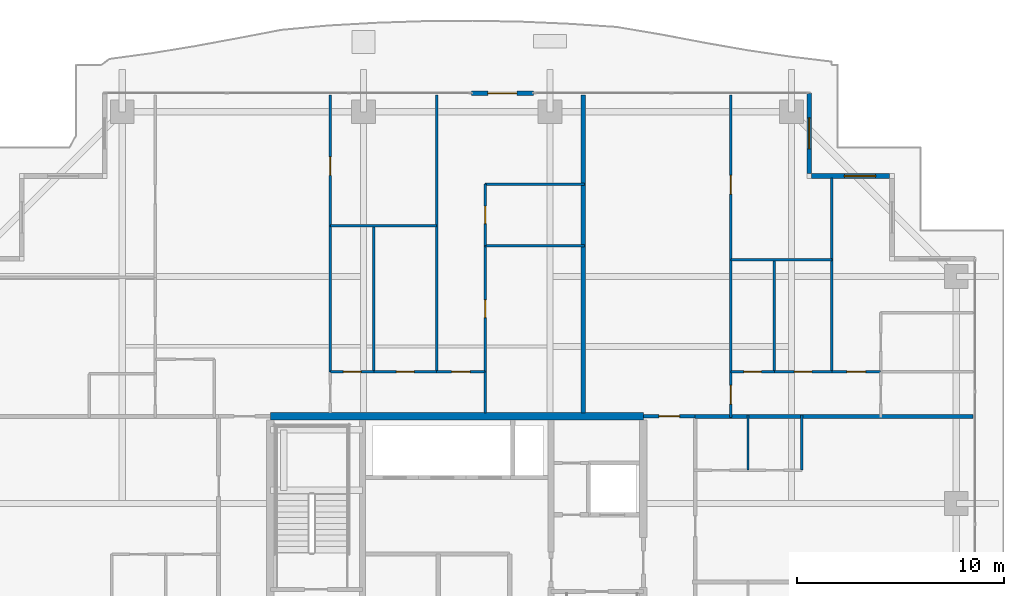
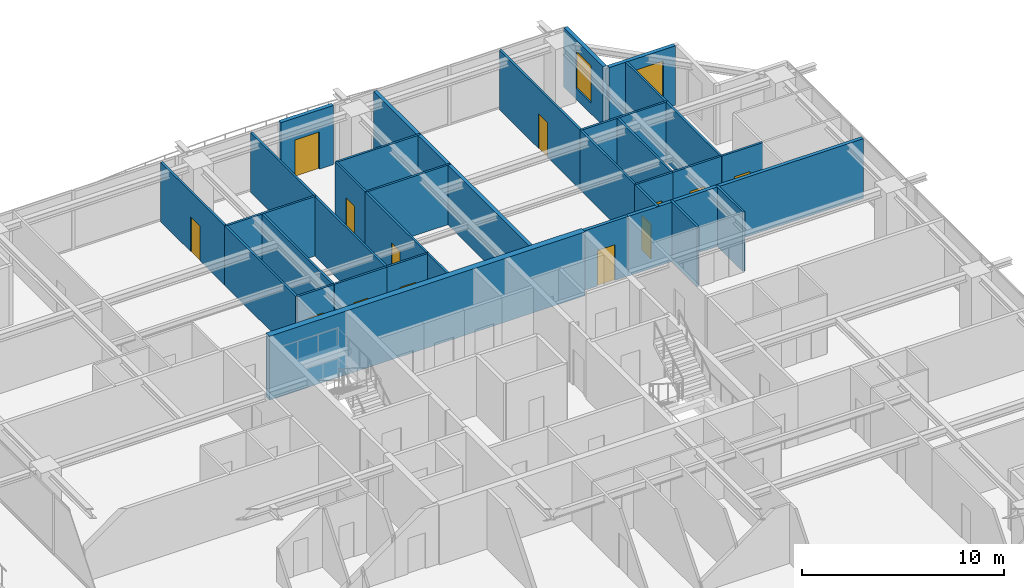
# One storey, part 31 of 39: 31 walls, 13 doors, 2 windows, 15 openings.
"""IFC4 building model written with IfcOpenShell, lengths in metres."""

from ifc_helpers import new_model, si_unit, direction, frame, frame_2d, origin, place, context, subcontext, project, spatial, rectangle, extrude, source, transform, mapped, material, layer, layer_set, type_object, element, fill, save


model = new_model("IFC4")

# Units and contexts
model_context = context("Model", 3, precision=1e-05, world=origin(), true_north=direction((0.0, 1.0)))
body_context = subcontext(model_context, "Body", "Model", "MODEL_VIEW")
ifc_project = project(units=[si_unit("LENGTHUNIT", "METRE"), si_unit("AREAUNIT", "SQUARE_METRE"), si_unit("VOLUMEUNIT", "CUBIC_METRE"), si_unit("PLANEANGLEUNIT", "RADIAN"), si_unit("MASSUNIT", "GRAM", prefix="KILO")], contexts=[model_context])

# Site, building, storey
site_placement = place(None, origin())
site = spatial("IfcSite", under=ifc_project, at=site_placement, CompositionType="ELEMENT")
building_placement = place(site_placement, origin())
building = spatial("IfcBuilding", under=site, at=building_placement, Name="Serunith Strait Residences", CompositionType="ELEMENT")
storey_placement = place(building_placement, frame((0.0, 0.0, 222.0)))
storey = spatial("IfcBuildingStorey", under=building, at=storey_placement, Name="L55", CompositionType="ELEMENT", Elevation=222.0)

# Wall, opening, window
ifc_material_1 = material(Name="Pale-Champagne Aluminium Insulated Panel", Category="aluminium")
ifc_layer_1 = layer(ifc_material_1, 0.219970703125, Name="Pale-Champagne Aluminium Insulated Panel")
ifc_layer_set_1 = layer_set([ifc_layer_1], Name="Pale-Champagne Aluminium Insulated Panel")
wall_type_1 = type_object("IfcWallType", Name="EW-ALUM-220", PredefinedType="ELEMENTEDWALL", material=ifc_layer_set_1)
wall_1_placement = place(storey_placement, frame((53.2900390625, 45.199951171875, 0.0), z_axis=(0.0, 0.0, 1.0), x_axis=(-1.0, 0.0, 0.0)))
wall_1 = element("IfcWall", 1, at=wall_1_placement, inside=storey, type_object=wall_type_1, Name="L55 Girih Serrated Corner Wall 09", PredefinedType="ELEMENTEDWALL", context=body_context, shape_type="SweptSolid", body=[
    extrude(rectangle(XDim=3.780029296875, YDim=0.219970703125, at=frame_2d((1.89013671875, 0.0))), origin(), (0.0, 0.0, 1.0), 3.574951171875),
])
opening_1_placement = place(wall_1_placement, frame((0.68408203125, 0.0, 0.64990234375)))
opening_1 = element("IfcOpeningElement", 2, at=opening_1_placement, cuts=wall_1, Name="Opening W-05", PredefinedType="OPENING", context=body_context, shape_type="SweptSolid", body=[
    extrude(rectangle(XDim=1.5, YDim=2.25, at=frame_2d((0.75, 1.125))), frame((0.0, 0.1201171875, 0.0), z_axis=(0.0, -1.0, 0.0), x_axis=(1.0, 0.0, 0.0)), (0.0, 0.0, 1.0), 0.239990234375),
])
ifc_material_2 = material(Name="Ceramic-Fritted Operable Aluminium Window Glass", Category="aluminium")
window_type = type_object("IfcWindowType", Name="WIN-C5", PartitioningType="DOUBLE_PANEL_VERTICAL", PredefinedType="WINDOW", material=ifc_material_2)
shared_shape_1 = source(origin(), body_context, "Body", "SweptSolid", [
    extrude(rectangle(XDim=1.5, YDim=2.25, at=frame_2d((0.75, 1.125))), frame((0.0, 0.030029296875, 0.0), z_axis=(0.0, -1.0, 0.0), x_axis=(1.0, 0.0, 0.0)), (0.0, 0.0, 1.0), 0.06005859375),
])
window_1_placement = place(opening_1_placement, origin())
window_1 = element("IfcWindow", 3, at=window_1_placement, inside=storey, type_object=window_type, Name="L55 Corner Operable Fritted Window 09", OverallHeight=2.25, OverallWidth=1.5, PartitioningType="SINGLE_PANEL", PredefinedType="WINDOW", context=body_context, shape_type="MappedRepresentation", body=[
    mapped(shared_shape_1, transform((0.0, 0.0, 0.0), scale=1.0)),
])
fill(opening_1, window_1)

wall_2_placement = place(storey_placement, frame((49.39990234375, 45.31005859375, 0.0), z_axis=(0.0, 0.0, 1.0), x_axis=(0.0, 1.0, 0.0)))
wall_2 = element("IfcWall", 4, at=wall_2_placement, inside=storey, type_object=wall_type_1, Name="L55 Girih Serrated Corner Wall 10", PredefinedType="ELEMENTEDWALL", context=body_context, shape_type="SweptSolid", body=[
    extrude(rectangle(XDim=3.889892578125, YDim=0.219970703125, at=frame_2d((1.94482421875, 0.0))), origin(), (0.0, 0.0, 1.0), 3.574951171875),
])
opening_2_placement = place(wall_2_placement, frame((1.195068359375, 0.0, 0.64990234375)))
opening_2 = element("IfcOpeningElement", 5, at=opening_2_placement, cuts=wall_2, Name="Opening W-05", PredefinedType="OPENING", context=body_context, shape_type="SweptSolid", body=[
    extrude(rectangle(XDim=1.5, YDim=2.25, at=frame_2d((0.75, 1.125))), frame((0.0, 0.1201171875, 0.0), z_axis=(0.0, -1.0, 0.0), x_axis=(1.0, 0.0, 0.0)), (0.0, 0.0, 1.0), 0.239990234375),
])
window_2_placement = place(opening_2_placement, origin())
window_2 = element("IfcWindow", 6, at=window_2_placement, inside=storey, type_object=window_type, Name="L55 Corner Operable Fritted Window 10", OverallHeight=2.25, OverallWidth=1.5, PartitioningType="SINGLE_PANEL", PredefinedType="WINDOW", context=body_context, shape_type="MappedRepresentation", body=[
    mapped(shared_shape_1, transform((0.0, 0.0, 0.0), scale=1.0)),
])
fill(opening_2, window_2)

# Wall, opening, door
wall_3_placement = place(storey_placement, frame((36.10009765625, 49.199951171875, 0.0), z_axis=(0.0, 0.0, 1.0), x_axis=(-1.0, 0.0, 0.0)))
wall_3 = element("IfcWall", 7, at=wall_3_placement, inside=storey, type_object=wall_type_1, Name="L55 N Facade Pier Wall", PredefinedType="ELEMENTEDWALL", context=body_context, shape_type="SweptSolid", body=[
    extrude(rectangle(XDim=3.0, YDim=0.219970703125, at=frame_2d((1.5, 0.0))), origin(), (0.0, 0.0, 1.0), 3.574951171875),
])
opening_3_placement = place(wall_3_placement, frame((0.800048828125, 0.0, 0.0)))
opening_3 = element("IfcOpeningElement", 8, at=opening_3_placement, cuts=wall_3, Name="Opening ED-04", PredefinedType="OPENING", context=body_context, shape_type="SweptSolid", body=[
    extrude(rectangle(XDim=1.39990234375, YDim=2.25, at=frame_2d((0.699951171875, 1.125))), frame((0.0, 0.1201171875, 0.0), z_axis=(0.0, -1.0, 0.0), x_axis=(1.0, 0.0, 0.0)), (0.0, 0.0, 1.0), 0.239990234375),
])
ifc_material_3 = material(Name="Thermally-Broken Aluminium Sliding Balcony Door", Category="aluminium")
door_type_1 = type_object("IfcDoorType", Name="ED-BALC-1400", OperationType="NOTDEFINED", PredefinedType="DOOR", material=ifc_material_3)
shared_shape_2 = source(origin(), body_context, "Body", "SweptSolid", [
    extrude(rectangle(XDim=1.39990234375, YDim=2.25, at=frame_2d((0.699951171875, 1.125))), frame((0.0, 0.02490234375, 0.0), z_axis=(0.0, -1.0, 0.0), x_axis=(1.0, 0.0, 0.0)), (0.0, 0.0, 1.0), 0.050048828125),
])
door_1_placement = place(opening_3_placement, origin())
door_1 = element("IfcDoor", 9, at=door_1_placement, inside=storey, type_object=door_type_1, Name="L55 N Vertical-Forest Balcony Door", OperationType="SLIDING_TO_LEFT", OverallHeight=2.25, OverallWidth=1.39990234375, PredefinedType="DOOR", context=body_context, shape_type="MappedRepresentation", body=[
    mapped(shared_shape_2, transform((0.0, 0.0, 0.0), scale=1.0)),
])
fill(opening_3, door_1)

ifc_material_4 = material(Name="Fire-rated acoustic gypsum partition")
ifc_layer_2 = layer(ifc_material_4, 0.179931640625, Name="Fire-rated acoustic gypsum partition")
ifc_layer_set_2 = layer_set([ifc_layer_2], Name="Fire-rated acoustic gypsum partition")
wall_type_2 = type_object("IfcWallType", Name="IW-CORR-180", PredefinedType="PARTITIONING", material=ifc_layer_set_2)
wall_4_placement = place(storey_placement, frame((41.402099609375, 33.60009765625, 0.0), z_axis=(0.0, 0.0, 1.0), x_axis=(1.0, 0.0, 0.0)))
wall_4 = element("IfcWall", 10, at=wall_4_placement, inside=storey, type_object=wall_type_2, Name="L55 Partition Wall 031", PredefinedType="PARTITIONING", context=body_context, shape_type="SweptSolid", body=[
    extrude(rectangle(XDim=2.495849609375, YDim=0.179931640625, at=frame_2d((1.248046875, 0.0))), origin(), (0.0, 0.0, 1.0), 3.590087890625),
])
opening_4_placement = place(wall_4_placement, frame((0.748046875, 0.0, 0.0)))
opening_4 = element("IfcOpeningElement", 11, at=opening_4_placement, cuts=wall_4, Name="Opening D-APT1000", PredefinedType="OPENING", context=body_context, shape_type="SweptSolid", body=[
    extrude(rectangle(XDim=1.0, YDim=2.14990234375, at=frame_2d((0.5, 1.074951171875))), frame((0.0, 0.10009765625, 0.0), z_axis=(0.0, -1.0, 0.0), x_axis=(1.0, 0.0, 0.0)), (0.0, 0.0, 1.0), 0.199951171875),
])
ifc_material_5 = material(Name="Solid timber engineered fire door", Category="wood")
door_type_2 = type_object("IfcDoorType", Name="ID-APT-1000", OperationType="NOTDEFINED", PredefinedType="DOOR", material=ifc_material_5)
shared_shape_3 = source(origin(), body_context, "Body", "SweptSolid", [
    extrude(rectangle(XDim=1.0, YDim=2.14990234375, at=frame_2d((0.5, 1.074951171875))), frame((0.0, 0.02490234375, 0.0), z_axis=(0.0, -1.0, 0.0), x_axis=(1.0, 0.0, 0.0)), (0.0, 0.0, 1.0), 0.050048828125),
])
door_2_placement = place(opening_4_placement, origin())
door_2 = element("IfcDoor", 12, at=door_2_placement, inside=storey, type_object=door_type_2, Name="L55 Unit 04 Entrance Door", OperationType="SINGLE_SWING_RIGHT", OverallHeight=2.14990234375, OverallWidth=1.0, PredefinedType="DOOR", context=body_context, shape_type="MappedRepresentation", body=[
    mapped(shared_shape_3, transform((0.0, 0.0, 0.0), scale=1.0)),
])
fill(opening_4, door_2)

ifc_material_6 = material(Name="Lightweight steel-stud gypsum partition", Category="steel")
ifc_layer_3 = layer(ifc_material_6, 0.1201171875, Name="Lightweight steel-stud gypsum partition")
ifc_layer_set_3 = layer_set([ifc_layer_3], Name="Lightweight steel-stud gypsum partition")
wall_type_3 = type_object("IfcWallType", Name="IW-PART-120", PredefinedType="PARTITIONING", material=ifc_layer_set_3)
wall_5_placement = place(storey_placement, frame((26.300048828125, 49.10498046875, 0.0), z_axis=(0.0, 0.0, 1.0), x_axis=(0.0, -1.0, 0.0)))
wall_5 = element("IfcWall", 13, at=wall_5_placement, inside=storey, type_object=wall_type_3, Name="L55 Partition Wall 077", PredefinedType="PARTITIONING", context=body_context, shape_type="SweptSolid", body=[
    extrude(rectangle(XDim=6.31494140625, YDim=0.1201171875, at=frame_2d((3.157470703125, 0.0))), origin(), (0.0, 0.0, 1.0), 3.590087890625),
])
opening_5_placement = place(wall_5_placement, frame((2.97802734375, 0.0, 0.0)))
opening_5 = element("IfcOpeningElement", 14, at=opening_5_placement, cuts=wall_5, Name="Opening D-RM900", PredefinedType="OPENING", context=body_context, shape_type="SweptSolid", body=[
    extrude(rectangle(XDim=0.89990234375, YDim=2.10009765625, at=frame_2d((0.449951171875, 1.050048828125))), frame((0.0, 0.070068359375, 0.0), z_axis=(0.0, -1.0, 0.0), x_axis=(1.0, 0.0, 0.0)), (0.0, 0.0, 1.0), 0.14013671875),
])
ifc_material_7 = material(Name="Engineered timber flush bedroom door", Category="wood")
door_type_3 = type_object("IfcDoorType", Name="ID-ROOM-900", OperationType="NOTDEFINED", PredefinedType="DOOR", material=ifc_material_7)
shared_shape_4 = source(origin(), body_context, "Body", "SweptSolid", [
    extrude(rectangle(XDim=0.89990234375, YDim=2.10009765625, at=frame_2d((0.449951171875, 1.050048828125))), frame((0.0, 0.02490234375, 0.0), z_axis=(0.0, -1.0, 0.0), x_axis=(1.0, 0.0, 0.0)), (0.0, 0.0, 1.0), 0.050048828125),
])
door_3_placement = place(opening_5_placement, origin())
door_3 = element("IfcDoor", 15, at=door_3_placement, inside=storey, type_object=door_type_3, Name="L55 Formal Dining Room 2 5503 Door", OperationType="SINGLE_SWING_RIGHT", OverallHeight=2.10009765625, OverallWidth=0.89990234375, PredefinedType="DOOR", context=body_context, shape_type="MappedRepresentation", body=[
    mapped(shared_shape_4, transform((0.0, 0.0, 0.0), scale=1.0)),
])
fill(opening_5, door_3)

# Walls
wall_6_placement = place(storey_placement, frame((26.300048828125, 42.7880859375, 0.0), z_axis=(0.0, 0.0, 1.0), x_axis=(0.0, -1.0, 0.0)))
element("IfcWall", 16, at=wall_6_placement, inside=storey, type_object=wall_type_3, Name="L55 Partition Wall 078", PredefinedType="PARTITIONING", context=body_context, shape_type="SweptSolid", body=[
    extrude(rectangle(XDim=7.0361328125, YDim=0.1201171875, at=frame_2d((3.51806640625, 0.0))), origin(), (0.0, 0.0, 1.0), 3.590087890625),
])
wall_7_placement = place(storey_placement, frame((26.300048828125, 42.7900390625, 0.0), z_axis=(0.0, 0.0, 1.0), x_axis=(1.0, 0.0, 0.0)))
element("IfcWall", 17, at=wall_7_placement, inside=storey, type_object=wall_type_3, Name="L55 Partition Wall 079", PredefinedType="PARTITIONING", context=body_context, shape_type="SweptSolid", body=[
    extrude(rectangle(XDim=5.119873046875, YDim=0.1201171875, at=frame_2d((2.56005859375, 0.0))), origin(), (0.0, 0.0, 1.0), 3.590087890625),
])
wall_8_placement = place(storey_placement, frame((31.419921875, 49.10498046875, 0.0), z_axis=(0.0, 0.0, 1.0), x_axis=(0.0, -1.0, 0.0)))
element("IfcWall", 18, at=wall_8_placement, inside=storey, type_object=wall_type_3, Name="L55 Partition Wall 080", PredefinedType="PARTITIONING", context=body_context, shape_type="SweptSolid", body=[
    extrude(rectangle(XDim=13.35498046875, YDim=0.1201171875, at=frame_2d((6.677490234375, 0.0))), origin(), (0.0, 0.0, 1.0), 3.590087890625),
])
wall_9_placement = place(storey_placement, frame((28.39990234375, 42.7900390625, 0.0), z_axis=(0.0, 0.0, 1.0), x_axis=(0.0, -1.0, 0.0)))
element("IfcWall", 19, at=wall_9_placement, inside=storey, type_object=wall_type_3, Name="L55 Partition Wall 081", PredefinedType="PARTITIONING", context=body_context, shape_type="SweptSolid", body=[
    extrude(rectangle(XDim=7.0400390625, YDim=0.1201171875, at=frame_2d((3.52001953125, 0.0))), origin(), (0.0, 0.0, 1.0), 3.590087890625),
])

# Wall, opening, door
wall_10_placement = place(storey_placement, frame((26.300048828125, 35.75, 0.0), z_axis=(0.0, 0.0, 1.0), x_axis=(1.0, 0.0, 0.0)))
wall_10 = element("IfcWall", 20, at=wall_10_placement, inside=storey, type_object=wall_type_3, Name="L55 Partition Wall 082", PredefinedType="PARTITIONING", context=body_context, shape_type="SweptSolid", body=[
    extrude(rectangle(XDim=2.099853515625, YDim=0.1201171875, at=frame_2d((1.0498046875, 0.0))), origin(), (0.0, 0.0, 1.0), 3.590087890625),
])
opening_6_placement = place(wall_10_placement, frame((0.625, 0.0, 0.0)))
opening_6 = element("IfcOpeningElement", 21, at=opening_6_placement, cuts=wall_10, Name="Opening D-RM850", PredefinedType="OPENING", context=body_context, shape_type="SweptSolid", body=[
    extrude(rectangle(XDim=0.85009765625, YDim=2.10009765625, at=frame_2d((0.425048828125, 1.050048828125))), frame((0.0, 0.070068359375, 0.0), z_axis=(0.0, -1.0, 0.0), x_axis=(1.0, 0.0, 0.0)), (0.0, 0.0, 1.0), 0.14013671875),
])
ifc_material_8 = material(Name="Engineered timber flush study and kitchen door", Category="wood")
door_type_4 = type_object("IfcDoorType", Name="ID-ROOM-850", OperationType="NOTDEFINED", PredefinedType="DOOR", material=ifc_material_8)
shared_shape_5 = source(origin(), body_context, "Body", "SweptSolid", [
    extrude(rectangle(XDim=0.85009765625, YDim=2.10009765625, at=frame_2d((0.425048828125, 1.050048828125))), frame((0.0, 0.02490234375, 0.0), z_axis=(0.0, -1.0, 0.0), x_axis=(1.0, 0.0, 0.0)), (0.0, 0.0, 1.0), 0.050048828125),
])
door_4_placement = place(opening_6_placement, origin())
door_4 = element("IfcDoor", 22, at=door_4_placement, inside=storey, type_object=door_type_4, Name="L55 Study 5503 Door", OperationType="SINGLE_SWING_LEFT", OverallHeight=2.10009765625, OverallWidth=0.85009765625, PredefinedType="DOOR", context=body_context, shape_type="MappedRepresentation", body=[
    mapped(shared_shape_5, transform((0.0, 0.0, 0.0), scale=1.0)),
])
fill(opening_6, door_4)

wall_11_placement = place(storey_placement, frame((28.402099609375, 35.75, 0.0), z_axis=(0.0, 0.0, 1.0), x_axis=(1.0, 0.0, 0.0)))
wall_11 = element("IfcWall", 23, at=wall_11_placement, inside=storey, type_object=wall_type_3, Name="L55 Partition Wall 083", PredefinedType="PARTITIONING", context=body_context, shape_type="SweptSolid", body=[
    extrude(rectangle(XDim=3.017822265625, YDim=0.1201171875, at=frame_2d((1.5087890625, 0.0))), origin(), (0.0, 0.0, 1.0), 3.590087890625),
])
opening_7_placement = place(wall_11_placement, frame((1.083984375, 0.0, 0.0)))
opening_7 = element("IfcOpeningElement", 24, at=opening_7_placement, cuts=wall_11, Name="Opening D-RM850", PredefinedType="OPENING", context=body_context, shape_type="SweptSolid", body=[
    extrude(rectangle(XDim=0.85009765625, YDim=2.10009765625, at=frame_2d((0.425048828125, 1.050048828125))), frame((0.0, 0.070068359375, 0.0), z_axis=(0.0, -1.0, 0.0), x_axis=(1.0, 0.0, 0.0)), (0.0, 0.0, 1.0), 0.14013671875),
])
door_5_placement = place(opening_7_placement, origin())
door_5 = element("IfcDoor", 25, at=door_5_placement, inside=storey, type_object=door_type_4, Name="L55 Formal Dining Room 5503 Door", OperationType="SINGLE_SWING_RIGHT", OverallHeight=2.10009765625, OverallWidth=0.85009765625, PredefinedType="DOOR", context=body_context, shape_type="MappedRepresentation", body=[
    mapped(shared_shape_5, transform((0.0, 0.0, 0.0), scale=1.0)),
])
fill(opening_7, door_5)

wall_12_placement = place(storey_placement, frame((31.422119140625, 35.75, 0.0), z_axis=(0.0, 0.0, 1.0), x_axis=(1.0, 0.0, 0.0)))
wall_12 = element("IfcWall", 26, at=wall_12_placement, inside=storey, type_object=wall_type_3, Name="L55 Partition Wall 084", PredefinedType="PARTITIONING", context=body_context, shape_type="SweptSolid", body=[
    extrude(rectangle(XDim=2.347900390625, YDim=0.1201171875, at=frame_2d((1.173828125, 0.0))), origin(), (0.0, 0.0, 1.0), 3.590087890625),
])
opening_8_placement = place(wall_12_placement, frame((0.72412109375, 0.0, 0.0)))
opening_8 = element("IfcOpeningElement", 27, at=opening_8_placement, cuts=wall_12, Name="Opening D-RM900", PredefinedType="OPENING", context=body_context, shape_type="SweptSolid", body=[
    extrude(rectangle(XDim=0.89990234375, YDim=2.10009765625, at=frame_2d((0.449951171875, 1.050048828125))), frame((0.0, 0.070068359375, 0.0), z_axis=(0.0, -1.0, 0.0), x_axis=(1.0, 0.0, 0.0)), (0.0, 0.0, 1.0), 0.14013671875),
])
door_6_placement = place(opening_8_placement, origin())
door_6 = element("IfcDoor", 28, at=door_6_placement, inside=storey, type_object=door_type_3, Name="L55 Master Bedroom E 5503 Door", OperationType="SINGLE_SWING_LEFT", OverallHeight=2.10009765625, OverallWidth=0.89990234375, PredefinedType="DOOR", context=body_context, shape_type="MappedRepresentation", body=[
    mapped(shared_shape_4, transform((0.0, 0.0, 0.0), scale=1.0)),
])
fill(opening_8, door_6)

# Walls
for number, where, z_axis, x_axis, name in (
    (29, (33.77001953125, 44.804931640625, 0.0), (0.0, 0.0, 1.0), (1.0, 0.0, 0.0), "L55 Partition Wall 085"),
    (30, (33.77001953125, 41.844970703125, 0.0), (0.0, 0.0, 1.0), (1.0, 0.0, 0.0), "L55 Partition Wall 086"),
):
    element("IfcWall", number, at=place(storey_placement, frame(where, z_axis=z_axis, x_axis=x_axis)), inside=storey, type_object=wall_type_3, Name=name, PredefinedType="PARTITIONING", context=body_context, shape_type="SweptSolid", body=[
        extrude(rectangle(XDim=4.7900390625, YDim=0.1201171875, at=frame_2d((2.39501953125, 0.0))), origin(), (0.0, 0.0, 1.0), 3.590087890625),
    ])

# Wall, opening, door
wall_13_placement = place(storey_placement, frame((33.77001953125, 44.804931640625, 0.0), z_axis=(0.0, 0.0, 1.0), x_axis=(0.0, -1.0, 0.0)))
wall_13 = element("IfcWall", 31, at=wall_13_placement, inside=storey, type_object=wall_type_3, Name="L55 Partition Wall 087", PredefinedType="PARTITIONING", context=body_context, shape_type="SweptSolid", body=[
    extrude(rectangle(XDim=2.9599609375, YDim=0.1201171875, at=frame_2d((1.47998046875, 0.0))), origin(), (0.0, 0.0, 1.0), 3.590087890625),
])
opening_9_placement = place(wall_13_placement, frame((1.054931640625, 0.0, 0.0)))
opening_9 = element("IfcOpeningElement", 32, at=opening_9_placement, cuts=wall_13, Name="Opening D-BTH850", PredefinedType="OPENING", context=body_context, shape_type="SweptSolid", body=[
    extrude(rectangle(XDim=0.85009765625, YDim=2.10009765625, at=frame_2d((0.425048828125, 1.050048828125))), frame((0.0, 0.070068359375, 0.0), z_axis=(0.0, -1.0, 0.0), x_axis=(1.0, 0.0, 0.0)), (0.0, 0.0, 1.0), 0.14013671875),
])
ifc_material_9 = material(Name="Moisture-resistant timber bathroom door", Category="wood")
door_type_5 = type_object("IfcDoorType", Name="ID-BATH-850", OperationType="NOTDEFINED", PredefinedType="DOOR", material=ifc_material_9)
door_7_placement = place(opening_9_placement, origin())
door_7 = element("IfcDoor", 33, at=door_7_placement, inside=storey, type_object=door_type_5, Name="L55 En-suite Bathroom E 5503 Door", OperationType="SINGLE_SWING_RIGHT", OverallHeight=2.10009765625, OverallWidth=0.85009765625, PredefinedType="DOOR", context=body_context, shape_type="MappedRepresentation", body=[
    mapped(shared_shape_5, transform((0.0, 0.0, 0.0), scale=1.0)),
])
fill(opening_9, door_7)

wall_14_placement = place(storey_placement, frame((33.77001953125, 41.843017578125, 0.0), z_axis=(0.0, 0.0, 1.0), x_axis=(0.0, -1.0, 0.0)))
wall_14 = element("IfcWall", 34, at=wall_14_placement, inside=storey, type_object=wall_type_3, Name="L55 Partition Wall 088", PredefinedType="PARTITIONING", context=body_context, shape_type="SweptSolid", body=[
    extrude(rectangle(XDim=6.093017578125, YDim=0.1201171875, at=frame_2d((3.04638671875, 0.0))), origin(), (0.0, 0.0, 1.0), 3.590087890625),
])
opening_10_placement = place(wall_14_placement, frame((2.6220703125, 0.0, 0.0)))
opening_10 = element("IfcOpeningElement", 35, at=opening_10_placement, cuts=wall_14, Name="Opening D-RM850", PredefinedType="OPENING", context=body_context, shape_type="SweptSolid", body=[
    extrude(rectangle(XDim=0.85009765625, YDim=2.10009765625, at=frame_2d((0.425048828125, 1.050048828125))), frame((0.0, 0.070068359375, 0.0), z_axis=(0.0, -1.0, 0.0), x_axis=(1.0, 0.0, 0.0)), (0.0, 0.0, 1.0), 0.14013671875),
])
door_8_placement = place(opening_10_placement, origin())
door_8 = element("IfcDoor", 36, at=door_8_placement, inside=storey, type_object=door_type_4, Name="L55 Wardrobe E 5503 Door", OperationType="SINGLE_SWING_LEFT", OverallHeight=2.10009765625, OverallWidth=0.85009765625, PredefinedType="DOOR", context=body_context, shape_type="MappedRepresentation", body=[
    mapped(shared_shape_5, transform((0.0, 0.0, 0.0), scale=1.0)),
])
fill(opening_10, door_8)

# Wall
wall_15_placement = place(storey_placement, frame((33.77001953125, 35.748046875, 0.0), z_axis=(0.0, 0.0, 1.0), x_axis=(0.0, -1.0, 0.0)))
element("IfcWall", 37, at=wall_15_placement, inside=storey, type_object=wall_type_3, Name="L55 Partition Wall 089", PredefinedType="PARTITIONING", context=body_context, shape_type="SweptSolid", body=[
    extrude(rectangle(XDim=1.97314453125, YDim=0.1201171875, at=frame_2d((0.986572265625, 0.0))), origin(), (0.0, 0.0, 1.0), 3.590087890625),
])

# Wall, opening, door
wall_16_placement = place(storey_placement, frame((45.6201171875, 35.75, 0.0), z_axis=(0.0, 0.0, 1.0), x_axis=(0.0, -1.0, 0.0)))
wall_16 = element("IfcWall", 38, at=wall_16_placement, inside=storey, type_object=wall_type_3, Name="L55 Partition Wall 090", PredefinedType="PARTITIONING", context=body_context, shape_type="SweptSolid", body=[
    extrude(rectangle(XDim=2.2099609375, YDim=0.1201171875, at=frame_2d((1.10498046875, 0.0))), origin(), (0.0, 0.0, 1.0), 3.590087890625),
])
opening_11_placement = place(wall_16_placement, frame((0.655029296875, 0.0, 0.0)))
opening_11 = element("IfcOpeningElement", 39, at=opening_11_placement, cuts=wall_16, Name="Opening D-RM900", PredefinedType="OPENING", context=body_context, shape_type="SweptSolid", body=[
    extrude(rectangle(XDim=0.89990234375, YDim=2.10009765625, at=frame_2d((0.449951171875, 1.050048828125))), frame((0.0, 0.070068359375, 0.0), z_axis=(0.0, -1.0, 0.0), x_axis=(1.0, 0.0, 0.0)), (0.0, 0.0, 1.0), 0.14013671875),
])
door_9_placement = place(opening_11_placement, origin())
door_9 = element("IfcDoor", 40, at=door_9_placement, inside=storey, type_object=door_type_3, Name="L55 Hall E 5504 Door", OperationType="SINGLE_SWING_RIGHT", OverallHeight=2.10009765625, OverallWidth=0.89990234375, PredefinedType="DOOR", context=body_context, shape_type="MappedRepresentation", body=[
    mapped(shared_shape_4, transform((0.0, 0.0, 0.0), scale=1.0)),
])
fill(opening_11, door_9)

wall_17_placement = place(storey_placement, frame((45.6201171875, 49.10498046875, 0.0), z_axis=(0.0, 0.0, 1.0), x_axis=(0.0, -1.0, 0.0)))
wall_17 = element("IfcWall", 41, at=wall_17_placement, inside=storey, type_object=wall_type_3, Name="L55 Partition Wall 091", PredefinedType="PARTITIONING", context=body_context, shape_type="SweptSolid", body=[
    extrude(rectangle(XDim=7.947998046875, YDim=0.1201171875, at=frame_2d((3.97412109375, 0.0))), origin(), (0.0, 0.0, 1.0), 3.590087890625),
])
opening_12_placement = place(wall_17_placement, frame((3.8759765625, 0.0, 0.0)))
opening_12 = element("IfcOpeningElement", 42, at=opening_12_placement, cuts=wall_17, Name="Opening D-RM900", PredefinedType="OPENING", context=body_context, shape_type="SweptSolid", body=[
    extrude(rectangle(XDim=0.89990234375, YDim=2.10009765625, at=frame_2d((0.449951171875, 1.050048828125))), frame((0.0, 0.070068359375, 0.0), z_axis=(0.0, -1.0, 0.0), x_axis=(1.0, 0.0, 0.0)), (0.0, 0.0, 1.0), 0.14013671875),
])
door_10_placement = place(opening_12_placement, origin())
door_10 = element("IfcDoor", 43, at=door_10_placement, inside=storey, type_object=door_type_3, Name="L55 Formal Dining Room 1 5504 Door", OperationType="SINGLE_SWING_LEFT", OverallHeight=2.10009765625, OverallWidth=0.89990234375, PredefinedType="DOOR", context=body_context, shape_type="MappedRepresentation", body=[
    mapped(shared_shape_4, transform((0.0, 0.0, 0.0), scale=1.0)),
])
fill(opening_12, door_10)

# Walls
wall_18_placement = place(storey_placement, frame((45.6201171875, 41.155029296875, 0.0), z_axis=(0.0, 0.0, 1.0), x_axis=(0.0, -1.0, 0.0)))
element("IfcWall", 44, at=wall_18_placement, inside=storey, type_object=wall_type_3, Name="L55 Partition Wall 092", PredefinedType="PARTITIONING", context=body_context, shape_type="SweptSolid", body=[
    extrude(rectangle(XDim=5.403076171875, YDim=0.1201171875, at=frame_2d((2.70166015625, 0.0))), origin(), (0.0, 0.0, 1.0), 3.590087890625),
])
wall_19_placement = place(storey_placement, frame((45.6201171875, 41.156982421875, 0.0), z_axis=(0.0, 0.0, 1.0), x_axis=(1.0, 0.0, 0.0)))
element("IfcWall", 45, at=wall_19_placement, inside=storey, type_object=wall_type_3, Name="L55 Partition Wall 093", PredefinedType="PARTITIONING", context=body_context, shape_type="SweptSolid", body=[
    extrude(rectangle(XDim=4.8798828125, YDim=0.1201171875, at=frame_2d((2.43994140625, 0.0))), origin(), (0.0, 0.0, 1.0), 3.590087890625),
])
wall_20_placement = place(storey_placement, frame((50.5, 45.10498046875, 0.0), z_axis=(0.0, 0.0, 1.0), x_axis=(0.0, -1.0, 0.0)))
element("IfcWall", 46, at=wall_20_placement, inside=storey, type_object=wall_type_3, Name="L55 Partition Wall 094", PredefinedType="PARTITIONING", context=body_context, shape_type="SweptSolid", body=[
    extrude(rectangle(XDim=9.35498046875, YDim=0.1201171875, at=frame_2d((4.677490234375, 0.0))), origin(), (0.0, 0.0, 1.0), 3.590087890625),
])
wall_21_placement = place(storey_placement, frame((47.719970703125, 41.156982421875, 0.0), z_axis=(0.0, 0.0, 1.0), x_axis=(0.0, -1.0, 0.0)))
element("IfcWall", 47, at=wall_21_placement, inside=storey, type_object=wall_type_3, Name="L55 Partition Wall 095", PredefinedType="PARTITIONING", context=body_context, shape_type="SweptSolid", body=[
    extrude(rectangle(XDim=5.406982421875, YDim=0.1201171875, at=frame_2d((2.70361328125, 0.0))), origin(), (0.0, 0.0, 1.0), 3.590087890625),
])

# Wall, opening, door
wall_22_placement = place(storey_placement, frame((45.6201171875, 35.75, 0.0), z_axis=(0.0, 0.0, 1.0), x_axis=(1.0, 0.0, 0.0)))
wall_22 = element("IfcWall", 48, at=wall_22_placement, inside=storey, type_object=wall_type_3, Name="L55 Partition Wall 096", PredefinedType="PARTITIONING", context=body_context, shape_type="SweptSolid", body=[
    extrude(rectangle(XDim=2.099853515625, YDim=0.1201171875, at=frame_2d((1.0498046875, 0.0))), origin(), (0.0, 0.0, 1.0), 3.590087890625),
])
opening_13_placement = place(wall_22_placement, frame((0.625, 0.0, 0.0)))
opening_13 = element("IfcOpeningElement", 49, at=opening_13_placement, cuts=wall_22, Name="Opening D-BTH850", PredefinedType="OPENING", context=body_context, shape_type="SweptSolid", body=[
    extrude(rectangle(XDim=0.85009765625, YDim=2.10009765625, at=frame_2d((0.425048828125, 1.050048828125))), frame((0.0, 0.070068359375, 0.0), z_axis=(0.0, -1.0, 0.0), x_axis=(1.0, 0.0, 0.0)), (0.0, 0.0, 1.0), 0.14013671875),
])
door_11_placement = place(opening_13_placement, origin())
door_11 = element("IfcDoor", 50, at=door_11_placement, inside=storey, type_object=door_type_5, Name="L55 Bathroom 5504 Door", OperationType="SINGLE_SWING_RIGHT", OverallHeight=2.10009765625, OverallWidth=0.85009765625, PredefinedType="DOOR", context=body_context, shape_type="MappedRepresentation", body=[
    mapped(shared_shape_5, transform((0.0, 0.0, 0.0), scale=1.0)),
])
fill(opening_13, door_11)

wall_23_placement = place(storey_placement, frame((47.721923828125, 35.75, 0.0), z_axis=(0.0, 0.0, 1.0), x_axis=(1.0, 0.0, 0.0)))
wall_23 = element("IfcWall", 51, at=wall_23_placement, inside=storey, type_object=wall_type_3, Name="L55 Partition Wall 097", PredefinedType="PARTITIONING", context=body_context, shape_type="SweptSolid", body=[
    extrude(rectangle(XDim=2.778076171875, YDim=0.1201171875, at=frame_2d((1.38916015625, 0.0))), origin(), (0.0, 0.0, 1.0), 3.590087890625),
])
opening_14_placement = place(wall_23_placement, frame((0.964111328125, 0.0, 0.0)))
opening_14 = element("IfcOpeningElement", 52, at=opening_14_placement, cuts=wall_23, Name="Opening D-RM850", PredefinedType="OPENING", context=body_context, shape_type="SweptSolid", body=[
    extrude(rectangle(XDim=0.85009765625, YDim=2.10009765625, at=frame_2d((0.425048828125, 1.050048828125))), frame((0.0, 0.070068359375, 0.0), z_axis=(0.0, -1.0, 0.0), x_axis=(1.0, 0.0, 0.0)), (0.0, 0.0, 1.0), 0.14013671875),
])
door_12_placement = place(opening_14_placement, origin())
door_12 = element("IfcDoor", 53, at=door_12_placement, inside=storey, type_object=door_type_4, Name="L55 Kitchen 5504 Door", OperationType="SINGLE_SWING_LEFT", OverallHeight=2.10009765625, OverallWidth=0.85009765625, PredefinedType="DOOR", context=body_context, shape_type="MappedRepresentation", body=[
    mapped(shared_shape_5, transform((0.0, 0.0, 0.0), scale=1.0)),
])
fill(opening_14, door_12)

wall_24_placement = place(storey_placement, frame((50.501953125, 35.75, 0.0), z_axis=(0.0, 0.0, 1.0), x_axis=(1.0, 0.0, 0.0)))
wall_24 = element("IfcWall", 54, at=wall_24_placement, inside=storey, type_object=wall_type_3, Name="L55 Partition Wall 098", PredefinedType="PARTITIONING", context=body_context, shape_type="SweptSolid", body=[
    extrude(rectangle(XDim=2.34814453125, YDim=0.1201171875, at=frame_2d((1.174072265625, 0.0))), origin(), (0.0, 0.0, 1.0), 3.590087890625),
])
opening_15_placement = place(wall_24_placement, frame((0.72412109375, 0.0, 0.0)))
opening_15 = element("IfcOpeningElement", 55, at=opening_15_placement, cuts=wall_24, Name="Opening D-RM900", PredefinedType="OPENING", context=body_context, shape_type="SweptSolid", body=[
    extrude(rectangle(XDim=0.89990234375, YDim=2.10009765625, at=frame_2d((0.449951171875, 1.050048828125))), frame((0.0, 0.070068359375, 0.0), z_axis=(0.0, -1.0, 0.0), x_axis=(1.0, 0.0, 0.0)), (0.0, 0.0, 1.0), 0.14013671875),
])
door_13_placement = place(opening_15_placement, origin())
door_13 = element("IfcDoor", 56, at=door_13_placement, inside=storey, type_object=door_type_3, Name="L55 Master Bedroom E 5504 Door", OperationType="SINGLE_SWING_RIGHT", OverallHeight=2.10009765625, OverallWidth=0.89990234375, PredefinedType="DOOR", context=body_context, shape_type="MappedRepresentation", body=[
    mapped(shared_shape_4, transform((0.0, 0.0, 0.0), scale=1.0)),
])
fill(opening_15, door_13)

# Walls
for number, where, z_axis, x_axis, name in (
    (57, (46.449951171875, 31.0, 0.0), (0.0, 0.0, 1.0), (0.0, 1.0, 0.0), "L55 Partition Wall 117"),
    (58, (49.050048828125, 31.0, 0.0), (0.0, 0.0, 1.0), (0.0, 1.0, 0.0), "L55 Partition Wall 118"),
):
    element("IfcWall", number, at=place(storey_placement, frame(where, z_axis=z_axis, x_axis=x_axis)), inside=storey, type_object=wall_type_3, Name=name, PredefinedType="PARTITIONING", context=body_context, shape_type="SweptSolid", body=[
        extrude(rectangle(XDim=2.659912109375, YDim=0.1201171875, at=frame_2d((1.330078125, 0.0))), origin(), (0.0, 0.0, 1.0), 3.590087890625),
    ])
ifc_material_10 = material(Name="Twin-stud acoustic gypsum board partition")
ifc_layer_4 = layer(ifc_material_10, 0.199951171875, Name="Twin-stud acoustic gypsum board partition")
ifc_layer_set_4 = layer_set([ifc_layer_4], Name="Twin-stud acoustic gypsum board partition")
wall_type_4 = type_object("IfcWallType", Name="IW-PARTY-200", PredefinedType="PARTITIONING", material=ifc_layer_set_4)
wall_25_placement = place(storey_placement, frame((38.5, 33.77490234375, 0.0), z_axis=(0.0, 0.0, 1.0), x_axis=(0.0, 1.0, 0.0)))
element("IfcWall", 59, at=wall_25_placement, inside=storey, type_object=wall_type_4, Name="L55 Partition Wall 020", PredefinedType="PARTITIONING", context=body_context, shape_type="SweptSolid", body=[
    extrude(rectangle(XDim=15.343017578125, YDim=0.199951171875, at=frame_2d((7.67138671875, 0.0))), origin(), (0.0, 0.0, 1.0), 3.590087890625),
])
wall_26_placement = place(storey_placement, frame((43.89990234375, 33.60009765625, 0.0), z_axis=(0.0, 0.0, 1.0), x_axis=(1.0, 0.0, 0.0)))
element("IfcWall", 60, at=wall_26_placement, inside=storey, type_object=wall_type_4, Name="L55 Partition Wall 026", PredefinedType="PARTITIONING", context=body_context, shape_type="SweptSolid", body=[
    extrude(rectangle(XDim=13.418212890625, YDim=0.199951171875, at=frame_2d((6.708984375, 0.0))), origin(), (0.0, 0.0, 1.0), 3.590087890625),
])
ifc_material_11 = material(Name="Concrete C60/75", Category="concrete")
ifc_layer_5 = layer(ifc_material_11, 0.35009765625, Name="Concrete C60/75")
ifc_layer_set_5 = layer_set([ifc_layer_5], Name="Concrete C60/75")
wall_type_5 = type_object("IfcWallType", Name="SW-350-C60", PredefinedType="SHEAR", material=ifc_layer_set_5)
wall_27_placement = place(storey_placement, frame((41.39990234375, 33.60009765625, -0.260009765625), z_axis=(0.0, 0.0, 1.0), x_axis=(-1.0, 0.0, 0.0)))
element("IfcWall", 61, at=wall_27_placement, inside=storey, type_object=wall_type_5, Name="L55 Core North Shear Wall", PredefinedType="SHEAR", context=body_context, shape_type="SweptSolid", body=[
    extrude(rectangle(XDim=18.0, YDim=0.35009765625, at=frame_2d((9.0, 0.0))), origin(), (0.0, 0.0, 1.0), 3.847900390625),
])

save(model, "model.ifc")
